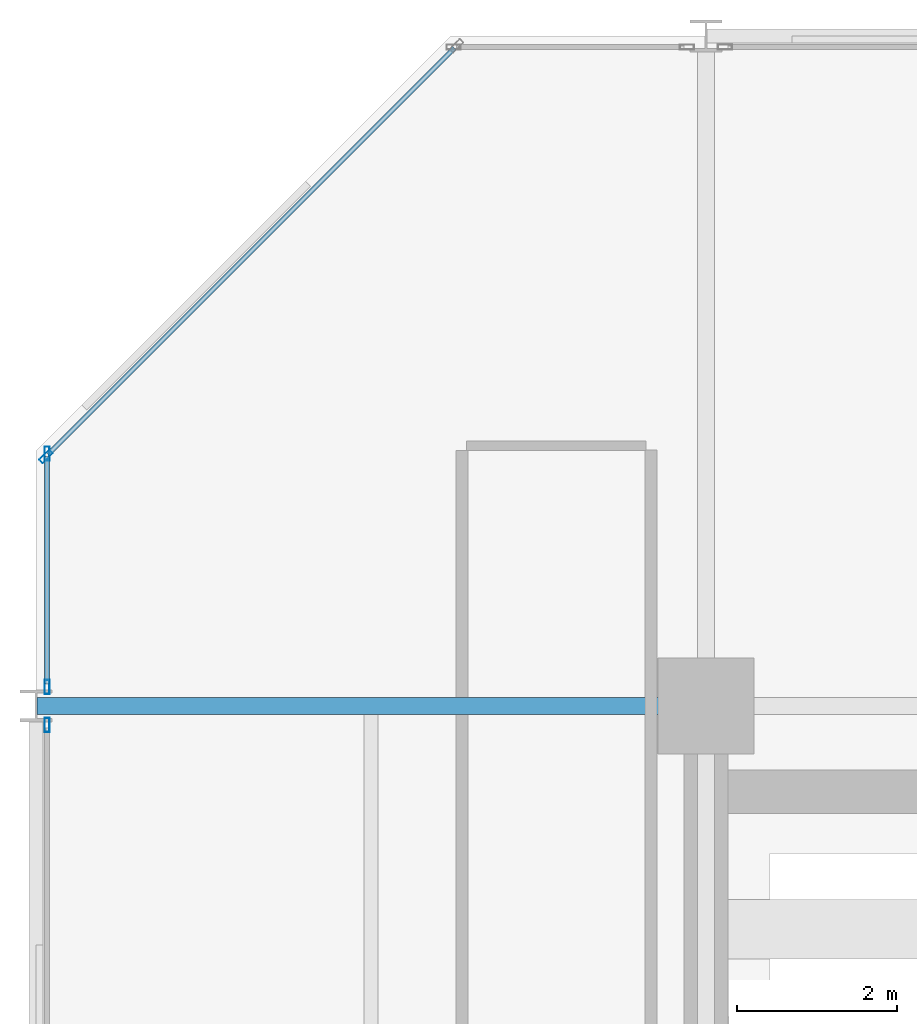
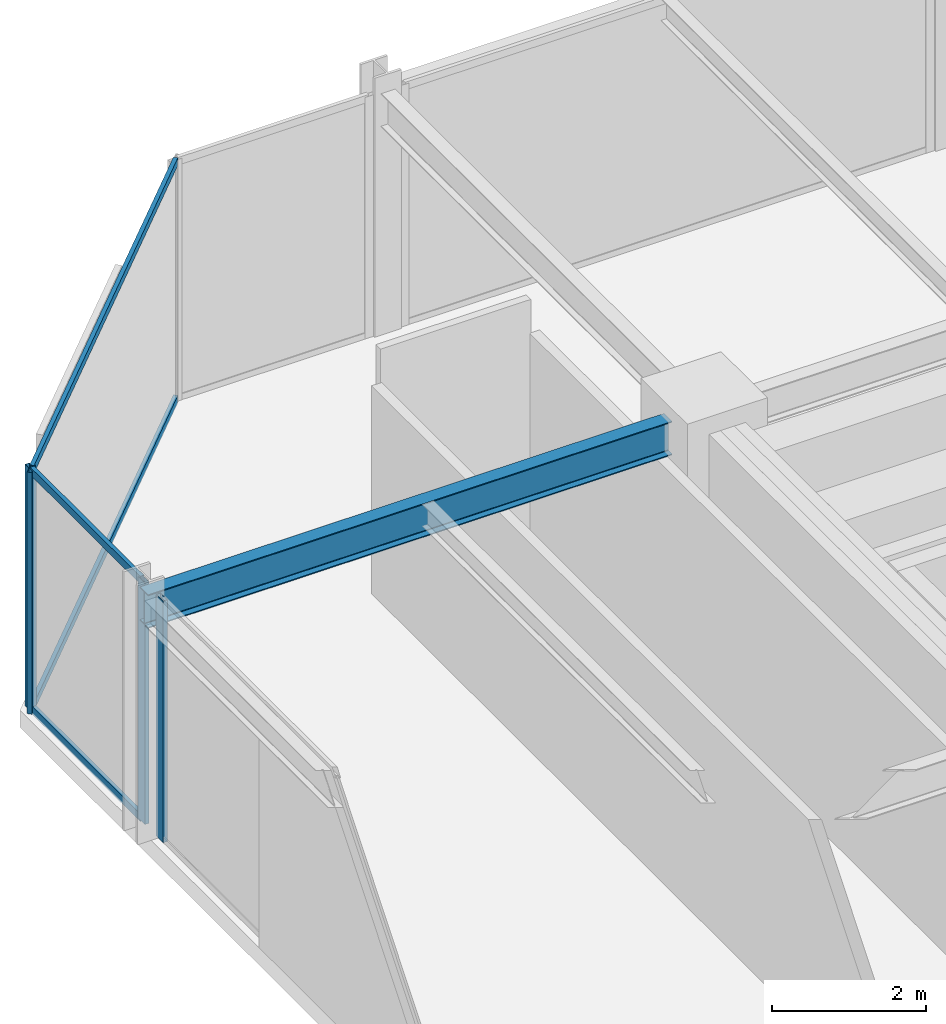
# One storey, part 25 of 38: 8 members, 1 beam, 3 elements without a shape of their own.
"""IFC4 building model written with IfcOpenShell, lengths in metres."""

from ifc_helpers import new_model, si_unit, direction, frame, origin, origin_2d, place, context, subcontext, project, spatial, hollow_rectangle, i_section, extrude, material, layer, layer_set, material_profile, profile_set, type_object, element, aggregate, save


model = new_model("IFC4")

# Units and contexts
model_context = context("Model", 3, precision=1e-05, world=origin(), true_north=direction((0.0, 1.0)))
body_context = subcontext(model_context, "Body", "Model", "MODEL_VIEW")
ifc_project = project(units=[si_unit("LENGTHUNIT", "METRE"), si_unit("AREAUNIT", "SQUARE_METRE"), si_unit("VOLUMEUNIT", "CUBIC_METRE"), si_unit("PLANEANGLEUNIT", "RADIAN"), si_unit("MASSUNIT", "GRAM", prefix="KILO")], contexts=[model_context])

# Site, building, storey
site_placement = place(None, origin())
site = spatial("IfcSite", under=ifc_project, at=site_placement, CompositionType="ELEMENT")
building_placement = place(site_placement, origin())
building = spatial("IfcBuilding", under=site, at=building_placement, Name="Nerrivon Quay Data Exchange", CompositionType="ELEMENT")
storey_placement = place(building_placement, frame((0.0, 0.0, 88.5)))
storey = spatial("IfcBuildingStorey", under=building, at=storey_placement, Name="L20", CompositionType="ELEMENT", Elevation=88.5)

# Beam
ifc_material_1 = material(Name="Steel Grade 350", Category="steel")
ifc_material_profile_1 = material_profile(ifc_material_1, i_section(OverallWidth=0.208984375, OverallDepth=0.532958984375, WebThickness=0.01025390625, FlangeThickness=0.015625, FilletRadius=0.013916015625, at=origin_2d()), Name="530UB92.4")
ifc_profile_set_1 = profile_set([ifc_material_profile_1], Name="Steel Grade 350")
beam_type = type_object("IfcBeamType", Name="BM-G3-530UB92", PredefinedType="BEAM", material=ifc_profile_set_1)
beam_placement = place(storey_placement, frame((0.012451171875, 42.0, 3.55859375), z_axis=(1.0, 0.0, 0.0), x_axis=(0.0, 1.0, 0.0)))
element("IfcBeam", 1, at=beam_placement, inside=storey, type_object=beam_type, Name="L20 EW Girder Y=42.0 (0.0..8.4)", PredefinedType="BEAM", context=body_context, shape_type="SweptSolid", body=[
    extrude(i_section(OverallWidth=0.208984375, OverallDepth=0.532958984375, WebThickness=0.01025390625, FlangeThickness=0.015625, FilletRadius=0.013916015625, at=origin_2d()), origin(), (0.0, 0.0, 1.0), 7.84765625),
])

# Curtain wall, member
ifc_material_2 = material(Name="Anodised aluminium 6063-T6", Category="aluminium")
ifc_layer = layer(ifc_material_2, 0.2099609375)
ifc_layer_set = layer_set([ifc_layer], Name="Anodised aluminium 6063-T6")
curtain_wall_type = type_object("IfcCurtainWallType", Name="CW-SYS-02", PredefinedType="NOTDEFINED", material=ifc_layer_set)
curtain_wall_1_placement = place(storey_placement, origin())
curtain_wall_1 = element("IfcCurtainWall", 2, at=curtain_wall_1_placement, inside=storey, type_object=curtain_wall_type, Name="L20 Unitised Curtain Wall 21", PredefinedType="NOTDEFINED")
ifc_material_profile_2 = material_profile(ifc_material_2, hollow_rectangle(XDim=0.06494140625, YDim=0.179931640625, WallThickness=0.00341796875, at=origin_2d()), Name="ALU-MULL-180x65")
ifc_profile_set_2 = profile_set([ifc_material_profile_2], Name="Anodised aluminium 6063-T6")
member_type_1 = type_object("IfcMemberType", Name="CWM-180x65", PredefinedType="MULLION", material=ifc_profile_set_2)
member_1_placement = place(storey_placement, frame((0.139892578125, 41.762451171875, 0.0), z_axis=(0.0, 0.0, 1.0), x_axis=(-1.0, 0.0, 0.0)))
member_1 = element("IfcMember", 3, at=member_1_placement, type_object=member_type_1, Name="CW02 mullion 2", PredefinedType="MULLION", context=body_context, shape_type="SweptSolid", body=[
    extrude(hollow_rectangle(XDim=0.06494140625, YDim=0.179931640625, WallThickness=0.00341796875, at=origin_2d()), origin(), (0.0, 0.0, 1.0), 3.824951171875),
])
aggregate(curtain_wall_1, [member_1])

# Curtain wall, members
curtain_wall_2_placement = place(storey_placement, origin())
curtain_wall_2 = element("IfcCurtainWall", 4, at=curtain_wall_2_placement, inside=storey, type_object=curtain_wall_type, Name="L20 Unitised Curtain Wall 22", PredefinedType="NOTDEFINED")
member_2_placement = place(storey_placement, frame((0.139892578125, 42.237548828125, 0.0), z_axis=(0.0, 0.0, 1.0), x_axis=(-1.0, 0.0, 0.0)))
member_2 = element("IfcMember", 5, at=member_2_placement, type_object=member_type_1, Name="CW02 mullion 1", PredefinedType="MULLION", context=body_context, shape_type="SweptSolid", body=[
    extrude(hollow_rectangle(XDim=0.06494140625, YDim=0.179931640625, WallThickness=0.00341796875, at=origin_2d()), origin(), (0.0, 0.0, 1.0), 3.824951171875),
])
member_3_placement = place(storey_placement, frame((0.139892578125, 45.16259765625, 0.0), z_axis=(0.0, 0.0, 1.0), x_axis=(-1.0, 0.0, 0.0)))
member_3 = element("IfcMember", 6, at=member_3_placement, type_object=member_type_1, Name="CW02 mullion 2", PredefinedType="MULLION", context=body_context, shape_type="SweptSolid", body=[
    extrude(hollow_rectangle(XDim=0.06494140625, YDim=0.179931640625, WallThickness=0.00341796875, at=origin_2d()), origin(), (0.0, 0.0, 1.0), 3.824951171875),
])

# Curtain wall, member
curtain_wall_3_placement = place(storey_placement, origin())
curtain_wall_3 = element("IfcCurtainWall", 7, at=curtain_wall_3_placement, inside=storey, type_object=curtain_wall_type, Name="L20 Unitised Curtain Wall 23", PredefinedType="NOTDEFINED")
member_4_placement = place(storey_placement, frame((0.12548828125, 45.12744140625, 0.0), z_axis=(0.0, 0.0, 1.0), x_axis=(-0.707106781187, 0.707106781187, 0.0)))
member_4 = element("IfcMember", 8, at=member_4_placement, type_object=member_type_1, Name="CW02 mullion 1", PredefinedType="MULLION", context=body_context, shape_type="SweptSolid", body=[
    extrude(hollow_rectangle(XDim=0.06494140625, YDim=0.179931640625, WallThickness=0.00341796875, at=origin_2d()), origin(), (0.0, 0.0, 1.0), 3.824951171875),
])

# Member
ifc_material_profile_3 = material_profile(ifc_material_2, hollow_rectangle(XDim=0.06005859375, YDim=0.1201171875, WallThickness=0.003173828125, at=origin_2d()), Name="ALU-TRAN-120x60")
ifc_profile_set_3 = profile_set([ifc_material_profile_3], Name="Anodised aluminium 6063-T6")
member_type_2 = type_object("IfcMemberType", Name="CWT-120x60", PredefinedType="USERDEFINED", material=ifc_profile_set_3)
member_5_placement = place(storey_placement, frame((0.139892578125, 42.27490234375, 0.032470703125), z_axis=(0.0, 1.0, 0.0), x_axis=(-1.0, 0.0, 0.0)))
member_5 = element("IfcMember", 9, at=member_5_placement, type_object=member_type_2, Name="CW02 transom 1.1", ObjectType="TRANSOM", PredefinedType="USERDEFINED", context=body_context, shape_type="SweptSolid", body=[
    extrude(hollow_rectangle(XDim=0.06005859375, YDim=0.1201171875, WallThickness=0.003173828125, at=origin_2d()), origin(), (0.0, 0.0, 1.0), 2.85009765625),
])

member_6_placement = place(storey_placement, frame((0.139892578125, 42.27490234375, 3.79248046875), z_axis=(0.0, 1.0, 0.0), x_axis=(-1.0, 0.0, 0.0)))
member_6 = element("IfcMember", 10, at=member_6_placement, type_object=member_type_2, Name="CW02 transom 1.2", ObjectType="TRANSOM", PredefinedType="USERDEFINED", context=body_context, shape_type="SweptSolid", body=[
    extrude(hollow_rectangle(XDim=0.06005859375, YDim=0.1201171875, WallThickness=0.003173828125, at=origin_2d()), origin(), (0.0, 0.0, 1.0), 2.85009765625),
])

aggregate(curtain_wall_2, [member_2, member_3, member_5, member_6])

member_7_placement = place(storey_placement, frame((0.152099609375, 45.154052734375, 0.032470703125), z_axis=(0.707089835771, 0.707123726196, 0.0), x_axis=(-0.707123726196, 0.707089835771, 0.0)))
member_7 = element("IfcMember", 11, at=member_7_placement, type_object=member_type_2, Name="CW02 transom 1.1", ObjectType="TRANSOM", PredefinedType="USERDEFINED", context=body_context, shape_type="SweptSolid", body=[
    extrude(hollow_rectangle(XDim=0.06005859375, YDim=0.1201171875, WallThickness=0.003173828125, at=origin_2d()), origin(), (0.0, 0.0, 1.0), 7.203857421875),
])

member_8_placement = place(storey_placement, frame((0.152099609375, 45.154052734375, 3.79248046875), z_axis=(0.707089835771, 0.707123726196, 0.0), x_axis=(-0.707123726196, 0.707089835771, 0.0)))
member_8 = element("IfcMember", 12, at=member_8_placement, type_object=member_type_2, Name="CW02 transom 1.2", ObjectType="TRANSOM", PredefinedType="USERDEFINED", context=body_context, shape_type="SweptSolid", body=[
    extrude(hollow_rectangle(XDim=0.06005859375, YDim=0.1201171875, WallThickness=0.003173828125, at=origin_2d()), origin(), (0.0, 0.0, 1.0), 7.203857421875),
])

aggregate(curtain_wall_3, [member_4, member_7, member_8])

save(model, "model.ifc")
